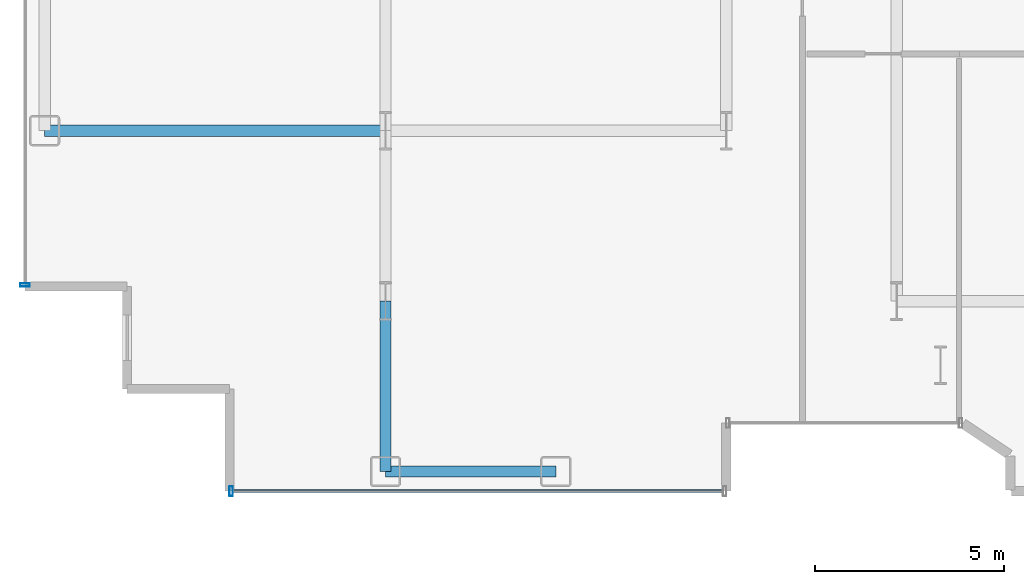
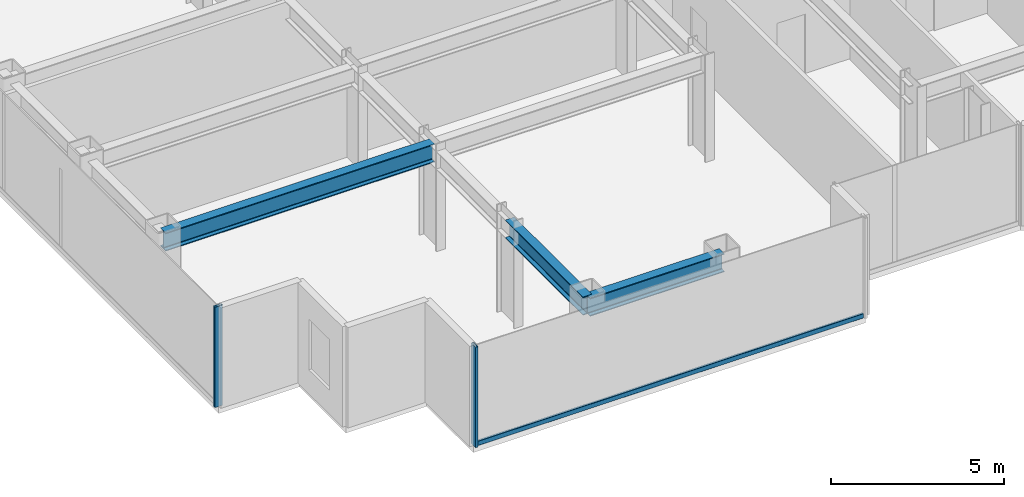
# One storey, part 2 of 26: 3 beams, 3 members, 2 elements without a shape of their own.
"""IFC4 building model written with IfcOpenShell, lengths in metres."""

from ifc_helpers import new_model, si_unit, direction, frame, origin, origin_2d, place, context, subcontext, project, spatial, hollow_rectangle, i_section, extrude, source, transform, mapped, material, layer, layer_set, material_profile, profile_set, type_object, element, aggregate, save


model = new_model("IFC4")

# Units and contexts
model_context = context("Model", 3, precision=1e-05, world=origin(), true_north=direction((0.0, 1.0)))
body_context = subcontext(model_context, "Body", "Model", "MODEL_VIEW")
ifc_project = project(units=[si_unit("LENGTHUNIT", "METRE"), si_unit("AREAUNIT", "SQUARE_METRE"), si_unit("VOLUMEUNIT", "CUBIC_METRE"), si_unit("PLANEANGLEUNIT", "RADIAN"), si_unit("MASSUNIT", "GRAM", prefix="KILO")], contexts=[model_context])

# Site, building, storey
site_placement = place(None, origin())
site = spatial("IfcSite", under=ifc_project, at=site_placement, CompositionType="ELEMENT")
building_placement = place(site_placement, origin())
building = spatial("IfcBuilding", under=site, at=building_placement, Name="Nefas-Gora Pilgrimage Tower", CompositionType="ELEMENT")
storey_placement = place(building_placement, frame((0.0, 0.0, 117.39990234375)))
storey = spatial("IfcBuildingStorey", under=building, at=storey_placement, Name="L28", CompositionType="ELEMENT", Elevation=117.39990234375)

# Beams
ifc_material_1 = material(Name="Steel S355", Category="steel")
ifc_material_profile_1 = material_profile(ifc_material_1, i_section(OverallWidth=0.300048828125, OverallDepth=0.64990234375, WebThickness=0.01611328125, FlangeThickness=0.031005859375, FilletRadius=0.027099609375, at=origin_2d()), Name="HEB 650")
ifc_profile_set_1 = profile_set([ifc_material_profile_1], Name="Steel S355")
beam_type_1 = type_object("IfcBeamType", Name="BM-SPN-HEB500", PredefinedType="SPANDREL", material=ifc_profile_set_1)
shared_shape_1 = source(origin(), body_context, "Body", "SweptSolid", [
    extrude(i_section(OverallWidth=0.300048828125, OverallDepth=0.64990234375, WebThickness=0.01611328125, FlangeThickness=0.031005859375, FilletRadius=0.027099609375, at=origin_2d()), origin(), (0.0, 0.0, 1.0), 4.5),
])
beam_1_placement = place(storey_placement, frame((-24.75, -22.5, 3.22509765625), z_axis=(1.0, 0.0, 0.0), x_axis=(0.0, 1.0, 0.0)))
element("IfcBeam", 1, at=beam_1_placement, inside=storey, type_object=beam_type_1, Name="L28 SP-02 beam", PredefinedType="SPANDREL", context=body_context, shape_type="MappedRepresentation", body=[
    mapped(shared_shape_1, transform((0.0, 0.0, 0.0), x_axis=(1.0, 0.0, 0.0), y_axis=(0.0, 1.0, 0.0), z_axis=(0.0, 0.0, 1.0), scale=1.0)),
])
ifc_material_profile_2 = material_profile(ifc_material_1, i_section(OverallWidth=0.300048828125, OverallDepth=0.64990234375, WebThickness=0.01611328125, FlangeThickness=0.031005859375, FilletRadius=0.027099609375, at=origin_2d()), Name="HEB 650")
ifc_profile_set_2 = profile_set([ifc_material_profile_2], Name="Steel S355")
beam_type_2 = type_object("IfcBeamType", Name="BM-GIR-HEB650", PredefinedType="BEAM", material=ifc_profile_set_2)
shared_shape_2 = source(origin(), body_context, "Body", "SweptSolid", [
    extrude(i_section(OverallWidth=0.300048828125, OverallDepth=0.64990234375, WebThickness=0.01611328125, FlangeThickness=0.031005859375, FilletRadius=0.027099609375, at=origin_2d()), origin(), (0.0, 0.0, 1.0), 9.0),
])
beam_2_placement = place(storey_placement, frame((-33.75, -13.5, 3.22509765625), z_axis=(1.0, 0.0, 0.0), x_axis=(0.0, 1.0, 0.0)))
element("IfcBeam", 2, at=beam_2_placement, inside=storey, type_object=beam_type_2, Name="L28 G-03 beam", PredefinedType="BEAM", context=body_context, shape_type="MappedRepresentation", body=[
    mapped(shared_shape_2, transform((0.0, 0.0, 0.0), x_axis=(1.0, 0.0, 0.0), y_axis=(0.0, 1.0, 0.0), z_axis=(0.0, 0.0, 1.0), scale=1.0)),
])
shared_shape_3 = source(origin(), body_context, "Body", "SweptSolid", [
    extrude(i_section(OverallWidth=0.300048828125, OverallDepth=0.64990234375, WebThickness=0.01611328125, FlangeThickness=0.031005859375, FilletRadius=0.027099609375, at=origin_2d()), origin(), (0.0, 0.0, 1.0), 4.5),
])
beam_3_placement = place(storey_placement, frame((-24.75, -22.5, 3.22509765625), z_axis=(0.0, 1.0, 0.0), x_axis=(-1.0, 0.0, 0.0)))
element("IfcBeam", 3, at=beam_3_placement, inside=storey, type_object=beam_type_2, Name="L28 G-03 beam", PredefinedType="BEAM", context=body_context, shape_type="MappedRepresentation", body=[
    mapped(shared_shape_3, transform((0.0, 0.0, 0.0), x_axis=(1.0, 0.0, 0.0), y_axis=(0.0, 1.0, 0.0), z_axis=(0.0, 0.0, 1.0), scale=1.0)),
])

# Curtain wall, member
ifc_material_2 = material(Name="Dark ceramic-fritted solar-control aluminium-glass curtain wall", Category="aluminium")
ifc_layer = layer(ifc_material_2, 0.219970703125)
ifc_layer_set = layer_set([ifc_layer], Name="Dark ceramic-fritted solar-control aluminium-glass curtain wall")
curtain_wall_type = type_object("IfcCurtainWallType", Name="CW-SYS-2", PredefinedType="NOTDEFINED", material=ifc_layer_set)
curtain_wall_1_placement = place(storey_placement, origin())
curtain_wall_1 = element("IfcCurtainWall", 4, at=curtain_wall_1_placement, inside=storey, type_object=curtain_wall_type, Name="L28 Unitised Curtain Wall CW2", PredefinedType="NOTDEFINED")
ifc_material_3 = material(Name="Anodised architectural aluminium", Category="aluminium")
ifc_material_profile_3 = material_profile(ifc_material_3, hollow_rectangle(XDim=0.090087890625, YDim=0.260009765625, WallThickness=0.006103515625, InnerFilletRadius=0.006103515625, OuterFilletRadius=0.011962890625, at=origin_2d()), Name="ALU MULLION 90x260")
ifc_profile_set_3 = profile_set([ifc_material_profile_3], Name="Anodised architectural aluminium")
member_type_1 = type_object("IfcMemberType", Name="CWM-MUL-2", PredefinedType="MULLION", material=ifc_profile_set_3)
shared_shape_4 = source(origin(), body_context, "Body", "SweptSolid", [
    extrude(hollow_rectangle(XDim=0.090087890625, YDim=0.260009765625, WallThickness=0.006103515625, InnerFilletRadius=0.006103515625, OuterFilletRadius=0.011962890625, at=origin_2d()), origin(), (0.0, 0.0, 1.0), 3.550048828125),
])
member_1_placement = place(storey_placement, frame((-34.27001953125, -17.574951171875, 0.0), z_axis=(0.0, 0.0, 1.0), x_axis=(0.0, -1.0, 0.0)))
member_1 = element("IfcMember", 5, at=member_1_placement, type_object=member_type_1, Name="CW2 Mullion 2", PredefinedType="MULLION", context=body_context, shape_type="MappedRepresentation", body=[
    mapped(shared_shape_4, transform((0.0, 0.0, 0.0), x_axis=(1.0, 0.0, 0.0), y_axis=(0.0, 1.0, 0.0), z_axis=(0.0, 0.0, 1.0), scale=1.0)),
])
aggregate(curtain_wall_1, [member_1])

# Curtain wall, members
curtain_wall_2_placement = place(storey_placement, origin())
curtain_wall_2 = element("IfcCurtainWall", 6, at=curtain_wall_2_placement, inside=storey, type_object=curtain_wall_type, Name="L28 Unitised Curtain Wall CW2", PredefinedType="NOTDEFINED")
member_2_placement = place(storey_placement, frame((-28.824951171875, -23.02001953125, 0.0), z_axis=(0.0, 0.0, 1.0), x_axis=(1.0, 0.0, 0.0)))
member_2 = element("IfcMember", 7, at=member_2_placement, type_object=member_type_1, Name="CW2 Mullion 1", PredefinedType="MULLION", context=body_context, shape_type="MappedRepresentation", body=[
    mapped(shared_shape_4, transform((0.0, 0.0, 0.0), x_axis=(1.0, 0.0, 0.0), y_axis=(0.0, 1.0, 0.0), z_axis=(0.0, 0.0, 1.0), scale=1.0)),
])
ifc_material_profile_4 = material_profile(ifc_material_3, hollow_rectangle(XDim=0.080078125, YDim=0.159912109375, WallThickness=0.00439453125, InnerFilletRadius=0.00439453125, OuterFilletRadius=0.009033203125, at=origin_2d()), Name="ALU TRANSOM 80x160")
ifc_profile_set_4 = profile_set([ifc_material_profile_4], Name="Anodised architectural aluminium")
member_type_2 = type_object("IfcMemberType", Name="CWM-TRN-2", PredefinedType="USERDEFINED", material=ifc_profile_set_4)
shared_shape_5 = source(origin(), body_context, "Body", "SweptSolid", [
    extrude(hollow_rectangle(XDim=0.080078125, YDim=0.159912109375, WallThickness=0.00439453125, InnerFilletRadius=0.00439453125, OuterFilletRadius=0.009033203125, at=origin_2d()), origin(), (0.0, 0.0, 1.0), 12.93994140625),
])
member_3_placement = place(storey_placement, frame((-28.780029296875, -23.02001953125, 0.050048828125), z_axis=(1.0, 0.0, 0.0), x_axis=(0.0, 1.0, 0.0)))
member_3 = element("IfcMember", 8, at=member_3_placement, type_object=member_type_2, Name="CW2 Spandrel Transom", ObjectType="TRANSOM", PredefinedType="USERDEFINED", context=body_context, shape_type="MappedRepresentation", body=[
    mapped(shared_shape_5, transform((0.0, 0.0, 0.0), x_axis=(1.0, 0.0, 0.0), y_axis=(0.0, 1.0, 0.0), z_axis=(0.0, 0.0, 1.0), scale=1.0)),
])
aggregate(curtain_wall_2, [member_2, member_3])

save(model, "model.ifc")
